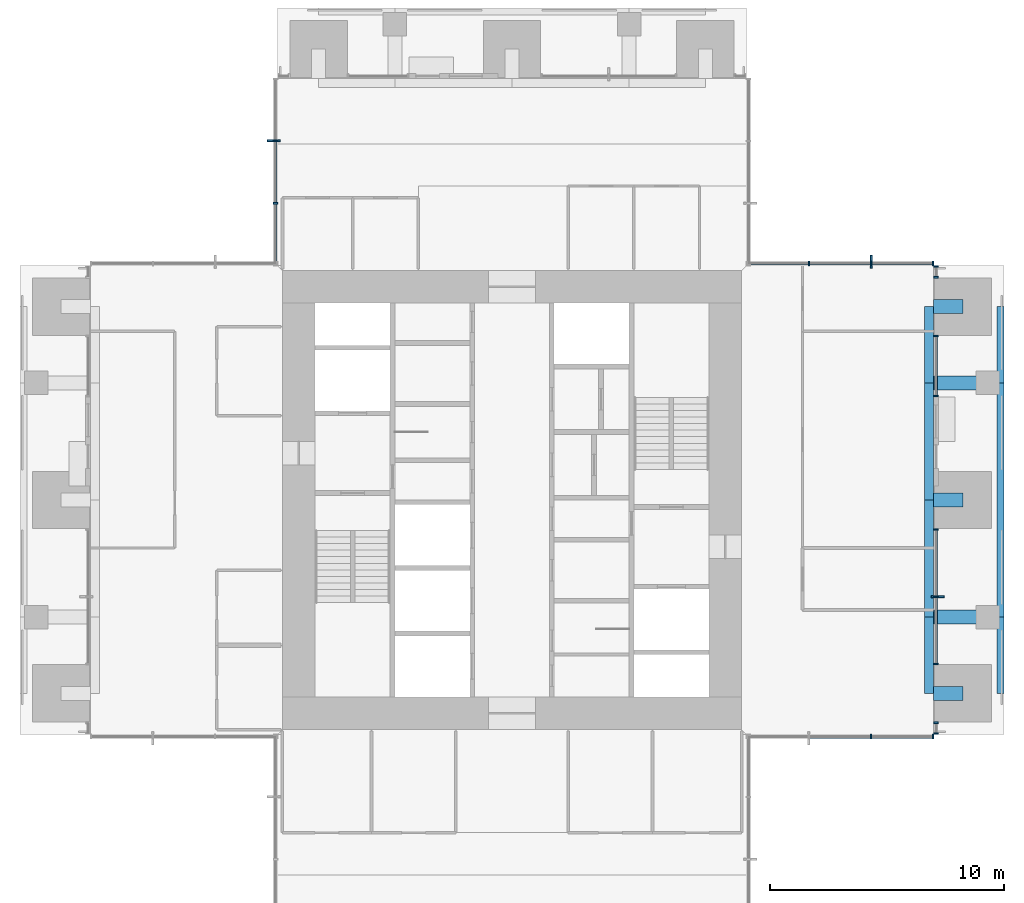
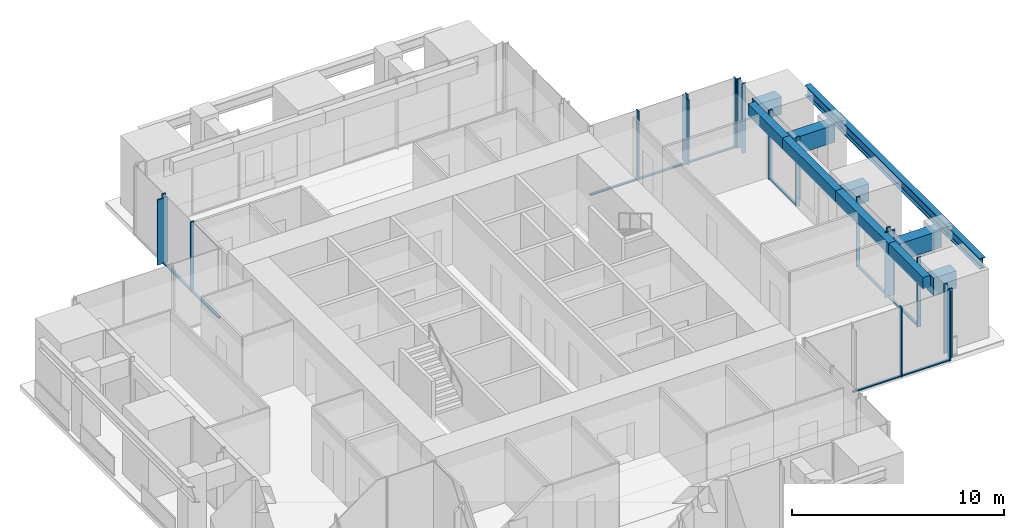
# One storey, part 4 of 17: 29 members, 12 beams, 7 elements without a shape of their own.
"""IFC4 building model written with IfcOpenShell, lengths in metres."""

from ifc_helpers import new_model, si_unit, direction, frame, origin, origin_2d, place, context, subcontext, project, spatial, rectangle, i_section, extrude, material, material_profile, profile_set, type_object, element, aggregate, save


model = new_model("IFC4")

# Units and contexts
model_context = context("Model", 3, precision=1e-05, world=origin(), true_north=direction((0.0, 1.0)))
body_context = subcontext(model_context, "Body", "Model", "MODEL_VIEW")
ifc_project = project(units=[si_unit("LENGTHUNIT", "METRE"), si_unit("AREAUNIT", "SQUARE_METRE"), si_unit("VOLUMEUNIT", "CUBIC_METRE"), si_unit("PLANEANGLEUNIT", "RADIAN"), si_unit("MASSUNIT", "GRAM", prefix="KILO")], contexts=[model_context])

# Site, building, storey
site_placement = place(None, origin())
site = spatial("IfcSite", under=ifc_project, at=site_placement, CompositionType="ELEMENT")
building_placement = place(site_placement, origin())
building = spatial("IfcBuilding", under=site, at=building_placement, Name="Svetlomir Tower", CompositionType="ELEMENT")
storey_placement = place(building_placement, frame((0.0, 0.0, 198.5)))
storey = spatial("IfcBuildingStorey", under=building, at=storey_placement, Name="L47", CompositionType="ELEMENT", Elevation=198.5)

# Curtain wall, member
ifc_material_1 = material(Name="Bronze anodised aluminium curtain wall", Category="aluminium")
curtain_wall_type = type_object("IfcCurtainWallType", Name="CURTAIN WALL CW1 TOWER OFFICE", PredefinedType="NOTDEFINED", material=ifc_material_1)
curtain_wall_1_placement = place(storey_placement, origin())
curtain_wall_1 = element("IfcCurtainWall", 1, at=curtain_wall_1_placement, inside=storey, type_object=curtain_wall_type, Name="Curtain wall CW1 L47", PredefinedType="NOTDEFINED")
ifc_material_2 = material(Name="Bronze anodised aluminium", Category="aluminium")
ifc_material_profile_1 = material_profile(ifc_material_2, rectangle(XDim=0.080078125, YDim=0.550048828125, at=origin_2d()), Name="FIN 80x550")
ifc_profile_set_1 = profile_set([ifc_material_profile_1], Name="Bronze anodised aluminium 6063-T6")
member_type_1 = type_object("IfcMemberType", Name="BRONZE FIN 80x550", PredefinedType="USERDEFINED", material=ifc_profile_set_1)
member_1_placement = place(storey_placement, frame((39.175048828125, 16.875, 0.0), z_axis=(0.0, 0.0, 1.0), x_axis=(0.0, 1.0, 0.0)))
member_1 = element("IfcMember", 2, at=member_1_placement, type_object=member_type_1, Name="Bronze fin L47", ObjectType="FIN", PredefinedType="USERDEFINED", context=body_context, shape_type="SweptSolid", body=[
    extrude(rectangle(XDim=0.080078125, YDim=0.550048828125, at=origin_2d()), origin(), (0.0, 0.0, 1.0), 3.75),
])

curtain_wall_2_placement = place(storey_placement, origin())
curtain_wall_2 = element("IfcCurtainWall", 3, at=curtain_wall_2_placement, inside=storey, type_object=curtain_wall_type, Name="Curtain wall CW1 L47", PredefinedType="NOTDEFINED")
member_2_placement = place(storey_placement, frame((36.333251953125, 31.175048828125, 0.0), z_axis=(0.0, 0.0, 1.0), x_axis=(1.0, 0.0, 0.0)))
member_2 = element("IfcMember", 4, at=member_2_placement, type_object=member_type_1, Name="Bronze fin L47", ObjectType="FIN", PredefinedType="USERDEFINED", context=body_context, shape_type="SweptSolid", body=[
    extrude(rectangle(XDim=0.080078125, YDim=0.550048828125, at=origin_2d()), origin(), (0.0, 0.0, 1.0), 3.75),
])

curtain_wall_3_placement = place(storey_placement, origin())
curtain_wall_3 = element("IfcCurtainWall", 5, at=curtain_wall_3_placement, inside=storey, type_object=curtain_wall_type, Name="Curtain wall CW1 L47", PredefinedType="NOTDEFINED")
member_3_placement = place(storey_placement, frame((10.824951171875, 36.333251953125, 0.0), z_axis=(0.0, 0.0, 1.0), x_axis=(0.0, 1.0, 0.0)))
member_3 = element("IfcMember", 6, at=member_3_placement, type_object=member_type_1, Name="Bronze fin L47", ObjectType="FIN", PredefinedType="USERDEFINED", context=body_context, shape_type="SweptSolid", body=[
    extrude(rectangle(XDim=0.080078125, YDim=0.550048828125, at=origin_2d()), origin(), (0.0, 0.0, 1.0), 3.75),
])

# Curtain wall, members
curtain_wall_4_placement = place(storey_placement, origin())
curtain_wall_4 = element("IfcCurtainWall", 7, at=curtain_wall_4_placement, inside=storey, type_object=curtain_wall_type, Name="Curtain wall CW1 L47", PredefinedType="NOTDEFINED")
ifc_material_3 = material(Name="Bronze anodised aluminium", Category="aluminium")
ifc_material_profile_2 = material_profile(ifc_material_3, rectangle(XDim=0.06494140625, YDim=0.199951171875, at=origin_2d()), Name="AL 65x200")
ifc_profile_set_2 = profile_set([ifc_material_profile_2], Name="Bronze anodised aluminium 6063-T6")
member_type_2 = type_object("IfcMemberType", Name="CW1 MULLION 65x200", PredefinedType="MULLION", material=ifc_profile_set_2)
member_4_placement = place(storey_placement, frame((36.333251953125, 10.89990234375, 0.0), z_axis=(0.0, 0.0, 1.0), x_axis=(1.0, 0.0, 0.0)))
member_4 = element("IfcMember", 8, at=member_4_placement, type_object=member_type_2, Name="CW1 mullion 3", PredefinedType="MULLION", context=body_context, shape_type="SweptSolid", body=[
    extrude(rectangle(XDim=0.06494140625, YDim=0.199951171875, at=origin_2d()), origin(), (0.0, 0.0, 1.0), 4.0),
])
member_5_placement = place(storey_placement, frame((38.967529296875, 10.89990234375, 0.0), z_axis=(0.0, 0.0, 1.0), x_axis=(1.0, 0.0, 0.0)))
member_5 = element("IfcMember", 9, at=member_5_placement, type_object=member_type_2, Name="CW1 mullion 4", PredefinedType="MULLION", context=body_context, shape_type="SweptSolid", body=[
    extrude(rectangle(XDim=0.06494140625, YDim=0.199951171875, at=origin_2d()), origin(), (0.0, 0.0, 1.0), 4.0),
])

curtain_wall_5_placement = place(storey_placement, origin())
curtain_wall_5 = element("IfcCurtainWall", 10, at=curtain_wall_5_placement, inside=storey, type_object=curtain_wall_type, Name="Curtain wall CW1 L47", PredefinedType="NOTDEFINED")
member_6_placement = place(storey_placement, frame((39.10009765625, 11.032470703125, 0.0), z_axis=(0.0, 0.0, 1.0), x_axis=(0.0, 1.0, 0.0)))
member_6 = element("IfcMember", 11, at=member_6_placement, type_object=member_type_2, Name="CW1 mullion 1", PredefinedType="MULLION", context=body_context, shape_type="SweptSolid", body=[
    extrude(rectangle(XDim=0.06494140625, YDim=0.199951171875, at=origin_2d()), origin(), (0.0, 0.0, 1.0), 4.0),
])
member_7_placement = place(storey_placement, frame((39.10009765625, 11.492431640625, 0.0), z_axis=(0.0, 0.0, 1.0), x_axis=(0.0, 1.0, 0.0)))
member_7 = element("IfcMember", 12, at=member_7_placement, type_object=member_type_2, Name="CW1 mullion 2", PredefinedType="MULLION", context=body_context, shape_type="SweptSolid", body=[
    extrude(rectangle(XDim=0.06494140625, YDim=0.199951171875, at=origin_2d()), origin(), (0.0, 0.0, 1.0), 4.0),
])
aggregate(curtain_wall_5, [member_6, member_7])

# Member
member_8_placement = place(storey_placement, frame((39.10009765625, 14.007568359375, 0.0), z_axis=(0.0, 0.0, 1.0), x_axis=(0.0, 1.0, 0.0)))
member_8 = element("IfcMember", 13, at=member_8_placement, type_object=member_type_2, Name="CW1 mullion 1", PredefinedType="MULLION", context=body_context, shape_type="SweptSolid", body=[
    extrude(rectangle(XDim=0.06494140625, YDim=0.199951171875, at=origin_2d()), origin(), (0.0, 0.0, 1.0), 4.0),
])

member_9_placement = place(storey_placement, frame((39.10009765625, 16.875, 0.0), z_axis=(0.0, 0.0, 1.0), x_axis=(0.0, 1.0, 0.0)))
member_9 = element("IfcMember", 14, at=member_9_placement, type_object=member_type_2, Name="CW1 mullion 2", PredefinedType="MULLION", context=body_context, shape_type="SweptSolid", body=[
    extrude(rectangle(XDim=0.06494140625, YDim=0.199951171875, at=origin_2d()), origin(), (0.0, 0.0, 1.0), 4.0),
])

member_10_placement = place(storey_placement, frame((39.10009765625, 19.742431640625, 0.0), z_axis=(0.0, 0.0, 1.0), x_axis=(0.0, 1.0, 0.0)))
member_10 = element("IfcMember", 15, at=member_10_placement, type_object=member_type_2, Name="CW1 mullion 3", PredefinedType="MULLION", context=body_context, shape_type="SweptSolid", body=[
    extrude(rectangle(XDim=0.06494140625, YDim=0.199951171875, at=origin_2d()), origin(), (0.0, 0.0, 1.0), 4.0),
])

# Curtain wall, members
curtain_wall_6_placement = place(storey_placement, origin())
curtain_wall_6 = element("IfcCurtainWall", 16, at=curtain_wall_6_placement, inside=storey, type_object=curtain_wall_type, Name="Curtain wall CW1 L47", PredefinedType="NOTDEFINED")
member_11_placement = place(storey_placement, frame((39.10009765625, 25.4326171875, 0.0), z_axis=(0.0, 0.0, 1.0), x_axis=(0.0, 1.0, 0.0)))
member_11 = element("IfcMember", 17, at=member_11_placement, type_object=member_type_2, Name="CW1 mullion 1", PredefinedType="MULLION", context=body_context, shape_type="SweptSolid", body=[
    extrude(rectangle(XDim=0.06494140625, YDim=0.199951171875, at=origin_2d()), origin(), (0.0, 0.0, 1.0), 4.0),
])
member_12_placement = place(storey_placement, frame((39.10009765625, 27.992431640625, 0.0), z_axis=(0.0, 0.0, 1.0), x_axis=(0.0, 1.0, 0.0)))
member_12 = element("IfcMember", 18, at=member_12_placement, type_object=member_type_2, Name="CW1 mullion 2", PredefinedType="MULLION", context=body_context, shape_type="SweptSolid", body=[
    extrude(rectangle(XDim=0.06494140625, YDim=0.199951171875, at=origin_2d()), origin(), (0.0, 0.0, 1.0), 4.0),
])

curtain_wall_7_placement = place(storey_placement, origin())
curtain_wall_7 = element("IfcCurtainWall", 19, at=curtain_wall_7_placement, inside=storey, type_object=curtain_wall_type, Name="Curtain wall CW1 L47", PredefinedType="NOTDEFINED")
member_13_placement = place(storey_placement, frame((39.10009765625, 30.507568359375, 0.0), z_axis=(0.0, 0.0, 1.0), x_axis=(0.0, 1.0, 0.0)))
member_13 = element("IfcMember", 20, at=member_13_placement, type_object=member_type_2, Name="CW1 mullion 1", PredefinedType="MULLION", context=body_context, shape_type="SweptSolid", body=[
    extrude(rectangle(XDim=0.06494140625, YDim=0.199951171875, at=origin_2d()), origin(), (0.0, 0.0, 1.0), 4.0),
])
member_14_placement = place(storey_placement, frame((39.10009765625, 30.967529296875, 0.0), z_axis=(0.0, 0.0, 1.0), x_axis=(0.0, 1.0, 0.0)))
member_14 = element("IfcMember", 21, at=member_14_placement, type_object=member_type_2, Name="CW1 mullion 2", PredefinedType="MULLION", context=body_context, shape_type="SweptSolid", body=[
    extrude(rectangle(XDim=0.06494140625, YDim=0.199951171875, at=origin_2d()), origin(), (0.0, 0.0, 1.0), 4.0),
])
aggregate(curtain_wall_7, [member_13, member_14])

# Member
member_15_placement = place(storey_placement, frame((38.967529296875, 31.10009765625, 0.0), z_axis=(0.0, 0.0, 1.0), x_axis=(-1.0, 0.0, 0.0)))
member_15 = element("IfcMember", 22, at=member_15_placement, type_object=member_type_2, Name="CW1 mullion 1", PredefinedType="MULLION", context=body_context, shape_type="SweptSolid", body=[
    extrude(rectangle(XDim=0.06494140625, YDim=0.199951171875, at=origin_2d()), origin(), (0.0, 0.0, 1.0), 4.0),
])

member_16_placement = place(storey_placement, frame((36.333251953125, 31.10009765625, 0.0), z_axis=(0.0, 0.0, 1.0), x_axis=(-1.0, 0.0, 0.0)))
member_16 = element("IfcMember", 23, at=member_16_placement, type_object=member_type_2, Name="CW1 mullion 2", PredefinedType="MULLION", context=body_context, shape_type="SweptSolid", body=[
    extrude(rectangle(XDim=0.06494140625, YDim=0.199951171875, at=origin_2d()), origin(), (0.0, 0.0, 1.0), 4.0),
])

member_17_placement = place(storey_placement, frame((33.666748046875, 31.10009765625, 0.0), z_axis=(0.0, 0.0, 1.0), x_axis=(-1.0, 0.0, 0.0)))
member_17 = element("IfcMember", 24, at=member_17_placement, type_object=member_type_2, Name="CW1 mullion 3", PredefinedType="MULLION", context=body_context, shape_type="SweptSolid", body=[
    extrude(rectangle(XDim=0.06494140625, YDim=0.199951171875, at=origin_2d()), origin(), (0.0, 0.0, 1.0), 4.0),
])

member_18_placement = place(storey_placement, frame((10.89990234375, 36.333251953125, 0.0), z_axis=(0.0, 0.0, 1.0), x_axis=(0.0, -1.0, 0.0)))
member_18 = element("IfcMember", 25, at=member_18_placement, type_object=member_type_2, Name="CW1 mullion 2", PredefinedType="MULLION", context=body_context, shape_type="SweptSolid", body=[
    extrude(rectangle(XDim=0.06494140625, YDim=0.199951171875, at=origin_2d()), origin(), (0.0, 0.0, 1.0), 4.0),
])

member_19_placement = place(storey_placement, frame((10.89990234375, 33.666748046875, 0.0), z_axis=(0.0, 0.0, 1.0), x_axis=(0.0, -1.0, 0.0)))
member_19 = element("IfcMember", 26, at=member_19_placement, type_object=member_type_2, Name="CW1 mullion 3", PredefinedType="MULLION", context=body_context, shape_type="SweptSolid", body=[
    extrude(rectangle(XDim=0.06494140625, YDim=0.199951171875, at=origin_2d()), origin(), (0.0, 0.0, 1.0), 4.0),
])

ifc_material_4 = material(Name="Bronze anodised aluminium", Category="aluminium")
ifc_material_profile_3 = material_profile(ifc_material_4, rectangle(XDim=0.139892578125, YDim=0.06494140625, at=origin_2d()), Name="AL 140x65")
ifc_profile_set_3 = profile_set([ifc_material_profile_3], Name="Bronze anodised aluminium 6063-T6")
member_type_3 = type_object("IfcMemberType", Name="CW1 TRANSOM 65x140", PredefinedType="USERDEFINED", material=ifc_profile_set_3)
member_20_placement = place(storey_placement, frame((33.69921875, 10.89990234375, 0.032470703125), z_axis=(1.0, 0.0, 0.0), x_axis=(0.0, 1.0, 0.0)))
member_20 = element("IfcMember", 27, at=member_20_placement, type_object=member_type_3, Name="CW1 transom 2.1", ObjectType="TRANSOM", PredefinedType="USERDEFINED", context=body_context, shape_type="SweptSolid", body=[
    extrude(rectangle(XDim=0.139892578125, YDim=0.06494140625, at=origin_2d()), origin(), (0.0, 0.0, 1.0), 2.6015625),
])

member_21_placement = place(storey_placement, frame((36.36572265625, 10.89990234375, 0.032470703125), z_axis=(1.0, 0.0, 0.0), x_axis=(0.0, 1.0, 0.0)))
member_21 = element("IfcMember", 28, at=member_21_placement, type_object=member_type_3, Name="CW1 transom 3.1", ObjectType="TRANSOM", PredefinedType="USERDEFINED", context=body_context, shape_type="SweptSolid", body=[
    extrude(rectangle(XDim=0.139892578125, YDim=0.06494140625, at=origin_2d()), origin(), (0.0, 0.0, 1.0), 2.5693359375),
])

aggregate(curtain_wall_4, [member_4, member_5, member_20, member_21])

member_22_placement = place(storey_placement, frame((39.10009765625, 14.0400390625, 0.032470703125), z_axis=(0.0, 1.0, 0.0), x_axis=(-1.0, 0.0, 0.0)))
member_22 = element("IfcMember", 29, at=member_22_placement, type_object=member_type_3, Name="CW1 transom 1.1", ObjectType="TRANSOM", PredefinedType="USERDEFINED", context=body_context, shape_type="SweptSolid", body=[
    extrude(rectangle(XDim=0.139892578125, YDim=0.06494140625, at=origin_2d()), origin(), (0.0, 0.0, 1.0), 2.802490234375),
])

member_23_placement = place(storey_placement, frame((39.10009765625, 16.907470703125, 0.032470703125), z_axis=(0.0, 1.0, 0.0), x_axis=(-1.0, 0.0, 0.0)))
member_23 = element("IfcMember", 30, at=member_23_placement, type_object=member_type_3, Name="CW1 transom 2.1", ObjectType="TRANSOM", PredefinedType="USERDEFINED", context=body_context, shape_type="SweptSolid", body=[
    extrude(rectangle(XDim=0.139892578125, YDim=0.06494140625, at=origin_2d()), origin(), (0.0, 0.0, 1.0), 2.802490234375),
])

aggregate(curtain_wall_1, [member_8, member_9, member_10, member_22, member_23, member_1])

member_24_placement = place(storey_placement, frame((39.10009765625, 25.465087890625, 0.032470703125), z_axis=(0.0, 1.0, 0.0), x_axis=(-1.0, 0.0, 0.0)))
member_24 = element("IfcMember", 31, at=member_24_placement, type_object=member_type_3, Name="CW1 transom 1.1", ObjectType="TRANSOM", PredefinedType="USERDEFINED", context=body_context, shape_type="SweptSolid", body=[
    extrude(rectangle(XDim=0.139892578125, YDim=0.06494140625, at=origin_2d()), origin(), (0.0, 0.0, 1.0), 2.494873046875),
])

aggregate(curtain_wall_6, [member_11, member_12, member_24])

member_25_placement = place(storey_placement, frame((38.93505859375, 31.10009765625, 0.032470703125), z_axis=(-1.0, 0.0, 0.0), x_axis=(0.0, -1.0, 0.0)))
member_25 = element("IfcMember", 32, at=member_25_placement, type_object=member_type_3, Name="CW1 transom 1.1", ObjectType="TRANSOM", PredefinedType="USERDEFINED", context=body_context, shape_type="SweptSolid", body=[
    extrude(rectangle(XDim=0.139892578125, YDim=0.06494140625, at=origin_2d()), origin(), (0.0, 0.0, 1.0), 2.5693359375),
])

member_26_placement = place(storey_placement, frame((36.30078125, 31.10009765625, 0.032470703125), z_axis=(-1.0, 0.0, 0.0), x_axis=(0.0, -1.0, 0.0)))
member_26 = element("IfcMember", 33, at=member_26_placement, type_object=member_type_3, Name="CW1 transom 2.1", ObjectType="TRANSOM", PredefinedType="USERDEFINED", context=body_context, shape_type="SweptSolid", body=[
    extrude(rectangle(XDim=0.139892578125, YDim=0.06494140625, at=origin_2d()), origin(), (0.0, 0.0, 1.0), 2.6015625),
])

member_27_placement = place(storey_placement, frame((33.63427734375, 31.10009765625, 0.032470703125), z_axis=(-1.0, 0.0, 0.0), x_axis=(0.0, -1.0, 0.0)))
member_27 = element("IfcMember", 34, at=member_27_placement, type_object=member_type_3, Name="CW1 transom 3.1", ObjectType="TRANSOM", PredefinedType="USERDEFINED", context=body_context, shape_type="SweptSolid", body=[
    extrude(rectangle(XDim=0.139892578125, YDim=0.06494140625, at=origin_2d()), origin(), (0.0, 0.0, 1.0), 2.5693359375),
])

aggregate(curtain_wall_2, [member_15, member_16, member_17, member_25, member_26, member_27, member_2])

member_28_placement = place(storey_placement, frame((10.89990234375, 36.30078125, 0.032470703125), z_axis=(0.0, -1.0, 0.0), x_axis=(1.0, 0.0, 0.0)))
member_28 = element("IfcMember", 35, at=member_28_placement, type_object=member_type_3, Name="CW1 transom 2.1", ObjectType="TRANSOM", PredefinedType="USERDEFINED", context=body_context, shape_type="SweptSolid", body=[
    extrude(rectangle(XDim=0.139892578125, YDim=0.06494140625, at=origin_2d()), origin(), (0.0, 0.0, 1.0), 2.6015625),
])

member_29_placement = place(storey_placement, frame((10.89990234375, 33.63427734375, 0.032470703125), z_axis=(0.0, -1.0, 0.0), x_axis=(1.0, 0.0, 0.0)))
member_29 = element("IfcMember", 36, at=member_29_placement, type_object=member_type_3, Name="CW1 transom 3.1", ObjectType="TRANSOM", PredefinedType="USERDEFINED", context=body_context, shape_type="SweptSolid", body=[
    extrude(rectangle(XDim=0.139892578125, YDim=0.06494140625, at=origin_2d()), origin(), (0.0, 0.0, 1.0), 2.5693359375),
])

aggregate(curtain_wall_3, [member_18, member_19, member_28, member_29, member_3])

# Beams
ifc_material_5 = material(Name="Steel S355", Category="steel")
ifc_material_profile_4 = material_profile(ifc_material_5, i_section(OverallWidth=0.304931640625, OverallDepth=0.6201171875, WebThickness=0.02099609375, FlangeThickness=0.0400390625, FilletRadius=0.027099609375, at=origin_2d()), Name="HEM 600")
ifc_profile_set_4 = profile_set([ifc_material_profile_4], Name="Steel S355")
beam_type_1 = type_object("IfcBeamType", Name="EDGE BEAM HEM 600", PredefinedType="SPANDREL", material=ifc_profile_set_4)
beam_1_placement = place(storey_placement, frame((41.847412109375, 12.75, 3.43994140625), z_axis=(0.0, 1.0, 0.0), x_axis=(-1.0, 0.0, 0.0)))
element("IfcBeam", 37, at=beam_1_placement, inside=storey, type_object=beam_type_1, Name="Edge beam 42/11 to 42/16 under L48", PredefinedType="SPANDREL", context=body_context, shape_type="SweptSolid", body=[
    extrude(i_section(OverallWidth=0.304931640625, OverallDepth=0.6201171875, WebThickness=0.02099609375, FlangeThickness=0.0400390625, FilletRadius=0.027099609375, at=origin_2d()), origin(), (0.0, 0.0, 1.0), 3.25),
])
beam_2_placement = place(storey_placement, frame((41.847412109375, 16.0, 3.43994140625), z_axis=(0.0, 1.0, 0.0), x_axis=(-1.0, 0.0, 0.0)))
element("IfcBeam", 38, at=beam_2_placement, inside=storey, type_object=beam_type_1, Name="Edge beam 42/16 to 42/26 under L48", PredefinedType="SPANDREL", context=body_context, shape_type="SweptSolid", body=[
    extrude(i_section(OverallWidth=0.304931640625, OverallDepth=0.6201171875, WebThickness=0.02099609375, FlangeThickness=0.0400390625, FilletRadius=0.027099609375, at=origin_2d()), origin(), (0.0, 0.0, 1.0), 10.0),
])
beam_3_placement = place(storey_placement, frame((41.847412109375, 26.0, 3.43994140625), z_axis=(0.0, 1.0, 0.0), x_axis=(-1.0, 0.0, 0.0)))
element("IfcBeam", 39, at=beam_3_placement, inside=storey, type_object=beam_type_1, Name="Edge beam 42/26 to 42/31 under L48", PredefinedType="SPANDREL", context=body_context, shape_type="SweptSolid", body=[
    extrude(i_section(OverallWidth=0.304931640625, OverallDepth=0.6201171875, WebThickness=0.02099609375, FlangeThickness=0.0400390625, FilletRadius=0.027099609375, at=origin_2d()), origin(), (0.0, 0.0, 1.0), 3.25),
])
ifc_material_6 = material(Name="Concrete C60/75", Category="concrete")
ifc_material_profile_5 = material_profile(ifc_material_6, rectangle(XDim=0.39990234375, YDim=0.64990234375, at=origin_2d()), Name="RC 400x650")
ifc_profile_set_5 = profile_set([ifc_material_profile_5], Name="Concrete C60/75")
beam_type_2 = type_object("IfcBeamType", Name="FACADE EDGE BEAM RC 400x650", PredefinedType="BEAM", material=ifc_profile_set_5)
beam_4_placement = place(storey_placement, frame((38.800048828125, 12.75, 3.425048828125), z_axis=(0.0, 1.0, 0.0), x_axis=(-1.0, 0.0, 0.0)))
element("IfcBeam", 40, at=beam_4_placement, inside=storey, type_object=beam_type_2, Name="Facade edge beam E 11 to 16 under L48", PredefinedType="BEAM", context=body_context, shape_type="SweptSolid", body=[
    extrude(rectangle(XDim=0.39990234375, YDim=0.64990234375, at=origin_2d()), origin(), (0.0, 0.0, 1.0), 3.25),
])
for number, where, z_axis, x_axis, name in (
    (41, (38.800048828125, 16.0, 3.425048828125), (0.0, 1.0, 0.0), (-1.0, 0.0, 0.0), "Facade edge beam E 16 to 21 under L48"),
    (42, (38.800048828125, 21.0, 3.425048828125), (0.0, 1.0, 0.0), (-1.0, 0.0, 0.0), "Facade edge beam E 21 to 26 under L48"),
):
    element("IfcBeam", number, at=place(storey_placement, frame(where, z_axis=z_axis, x_axis=x_axis)), inside=storey, type_object=beam_type_2, Name=name, PredefinedType="BEAM", context=body_context, shape_type="SweptSolid", body=[
        extrude(rectangle(XDim=0.39990234375, YDim=0.64990234375, at=origin_2d()), origin(), (0.0, 0.0, 1.0), 5.0),
    ])
beam_5_placement = place(storey_placement, frame((38.800048828125, 26.0, 3.425048828125), z_axis=(0.0, 1.0, 0.0), x_axis=(-1.0, 0.0, 0.0)))
element("IfcBeam", 43, at=beam_5_placement, inside=storey, type_object=beam_type_2, Name="Facade edge beam E 26 to 31 under L48", PredefinedType="BEAM", context=body_context, shape_type="SweptSolid", body=[
    extrude(rectangle(XDim=0.39990234375, YDim=0.64990234375, at=origin_2d()), origin(), (0.0, 0.0, 1.0), 3.25),
])
ifc_material_7 = material(Name="Concrete C60/75", Category="concrete")
ifc_material_profile_6 = material_profile(ifc_material_7, rectangle(XDim=0.60009765625, YDim=1.0, at=origin_2d()), Name="RC 600x1000")
ifc_profile_set_6 = profile_set([ifc_material_profile_6], Name="Concrete C60/75")
beam_type_3 = type_object("IfcBeamType", Name="LOGGIA LINK BEAM RC 600x1000", PredefinedType="BEAM", material=ifc_profile_set_6)
beam_6_placement = place(storey_placement, frame((40.25, 12.75, 3.25), z_axis=(-1.0, 0.0, 0.0), x_axis=(0.0, -1.0, 0.0)))
element("IfcBeam", 44, at=beam_6_placement, inside=storey, type_object=beam_type_3, Name="Loggia link beam E 11 under L48", PredefinedType="BEAM", context=body_context, shape_type="SweptSolid", body=[
    extrude(rectangle(XDim=0.60009765625, YDim=1.0, at=origin_2d()), origin(), (0.0, 0.0, 1.0), 1.25),
])
beam_7_placement = place(storey_placement, frame((41.300048828125, 16.0, 3.25), z_axis=(-1.0, 0.0, 0.0), x_axis=(0.0, -1.0, 0.0)))
element("IfcBeam", 45, at=beam_7_placement, inside=storey, type_object=beam_type_3, Name="Loggia link beam E 16 under L48", PredefinedType="BEAM", context=body_context, shape_type="SweptSolid", body=[
    extrude(rectangle(XDim=0.60009765625, YDim=1.0, at=origin_2d()), origin(), (0.0, 0.0, 1.0), 2.300048828125),
])
beam_8_placement = place(storey_placement, frame((40.25, 21.0, 3.25), z_axis=(-1.0, 0.0, 0.0), x_axis=(0.0, -1.0, 0.0)))
element("IfcBeam", 46, at=beam_8_placement, inside=storey, type_object=beam_type_3, Name="Loggia link beam E 21 under L48", PredefinedType="BEAM", context=body_context, shape_type="SweptSolid", body=[
    extrude(rectangle(XDim=0.60009765625, YDim=1.0, at=origin_2d()), origin(), (0.0, 0.0, 1.0), 1.25),
])
beam_9_placement = place(storey_placement, frame((41.300048828125, 26.0, 3.25), z_axis=(-1.0, 0.0, 0.0), x_axis=(0.0, -1.0, 0.0)))
element("IfcBeam", 47, at=beam_9_placement, inside=storey, type_object=beam_type_3, Name="Loggia link beam E 26 under L48", PredefinedType="BEAM", context=body_context, shape_type="SweptSolid", body=[
    extrude(rectangle(XDim=0.60009765625, YDim=1.0, at=origin_2d()), origin(), (0.0, 0.0, 1.0), 2.300048828125),
])
beam_10_placement = place(storey_placement, frame((40.25, 29.25, 3.25), z_axis=(-1.0, 0.0, 0.0), x_axis=(0.0, -1.0, 0.0)))
element("IfcBeam", 48, at=beam_10_placement, inside=storey, type_object=beam_type_3, Name="Loggia link beam E 31 under L48", PredefinedType="BEAM", context=body_context, shape_type="SweptSolid", body=[
    extrude(rectangle(XDim=0.60009765625, YDim=1.0, at=origin_2d()), origin(), (0.0, 0.0, 1.0), 1.25),
])

save(model, "model.ifc")
